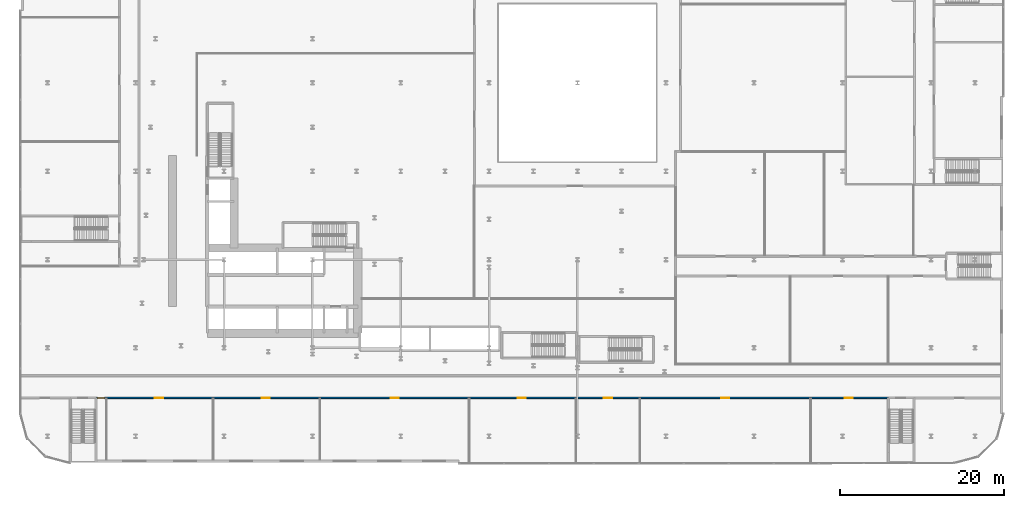
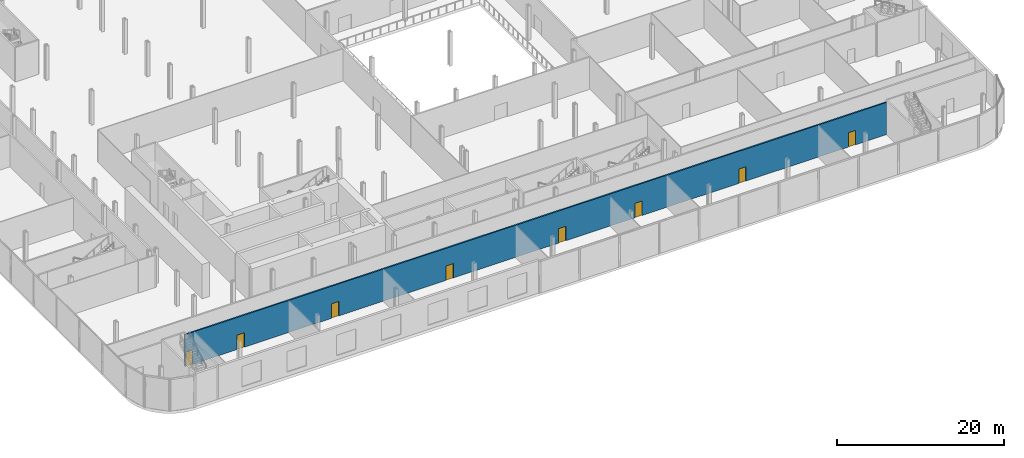
# One storey, part 26 of 47: 8 doors, 1 wall, 8 openings.
"""IFC4 building model written with IfcOpenShell, lengths in metres."""

from ifc_helpers import new_model, si_unit, direction, frame, frame_2d, origin, place, context, subcontext, project, spatial, rectangle, extrude, source, transform, mapped, material, layer, layer_set, type_object, element, fill, save


model = new_model("IFC4")

# Units and contexts
model_context = context("Model", 3, precision=1e-05, world=origin(), true_north=direction((0.0, 1.0)))
body_context = subcontext(model_context, "Body", "Model", "MODEL_VIEW")
ifc_project = project(units=[si_unit("LENGTHUNIT", "METRE"), si_unit("AREAUNIT", "SQUARE_METRE"), si_unit("VOLUMEUNIT", "CUBIC_METRE"), si_unit("PLANEANGLEUNIT", "RADIAN"), si_unit("MASSUNIT", "GRAM", prefix="KILO")], contexts=[model_context])

# Site, building, storey
site_placement = place(None, origin())
site = spatial("IfcSite", under=ifc_project, at=site_placement, CompositionType="ELEMENT")
building_placement = place(site_placement, origin())
building = spatial("IfcBuilding", under=site, at=building_placement, Name="Kheshtan School and Residences Tower", CompositionType="ELEMENT")
storey_placement = place(building_placement, frame((0.0, 0.0, 7.5)))
storey = spatial("IfcBuildingStorey", under=building, at=storey_placement, Name="L01", CompositionType="ELEMENT", Elevation=7.5)

# Wall, openings, doors
ifc_material_1 = material(Name="Gypsum board on steel studs with fire boards", Category="steel")
ifc_layer = layer(ifc_material_1, 0.199951171875)
ifc_layer_set = layer_set([ifc_layer], Name="Corridor wall 200")
wall_type = type_object("IfcWallType", Name="Corridor wall 200", PredefinedType="PARTITIONING", material=ifc_layer_set)
wall_placement = place(storey_placement, frame((21.14990234375, 17.89990234375, 0.0), z_axis=(0.0, 0.0, 1.0), x_axis=(1.0, 0.0, 0.0)))
wall = element("IfcWall", 1, at=wall_placement, inside=storey, type_object=wall_type, Name="Partition L01-008", PredefinedType="PARTITIONING", context=body_context, shape_type="SweptSolid", body=[
    extrude(rectangle(XDim=96.85009765625, YDim=0.199951171875, at=frame_2d((48.425048828125, 0.0))), origin(), (0.0, 0.0, 1.0), 4.679931640625),
])
opening_1_placement = place(wall_placement, frame((0.14990234375, 0.0, 0.0)))
opening_1 = element("IfcOpeningElement", 2, at=opening_1_placement, cuts=wall, Name="Opening D01-035", PredefinedType="OPENING", context=body_context, shape_type="SweptSolid", body=[
    extrude(rectangle(XDim=0.89990234375, YDim=2.10009765625, at=frame_2d((0.449951171875, 1.050048828125))), frame((0.0, 0.10986328125, 0.0), z_axis=(0.0, -1.0, 0.0), x_axis=(1.0, 0.0, 0.0)), (0.0, 0.0, 1.0), 0.219970703125),
])
opening_2_placement = place(wall_placement, frame((7.18505859375, 0.0, 0.0)))
opening_2 = element("IfcOpeningElement", 3, at=opening_2_placement, cuts=wall, Name="Opening D01-036", PredefinedType="OPENING", context=body_context, shape_type="SweptSolid", body=[
    extrude(rectangle(XDim=1.0, YDim=2.10009765625, at=frame_2d((0.5, 1.050048828125))), frame((0.0, 0.10986328125, 0.0), z_axis=(0.0, -1.0, 0.0), x_axis=(1.0, 0.0, 0.0)), (0.0, 0.0, 1.0), 0.219970703125),
])
opening_3_placement = place(wall_placement, frame((20.22802734375, 0.0, 0.0)))
opening_3 = element("IfcOpeningElement", 4, at=opening_3_placement, cuts=wall, Name="Opening D01-037", PredefinedType="OPENING", context=body_context, shape_type="SweptSolid", body=[
    extrude(rectangle(XDim=1.0, YDim=2.10009765625, at=frame_2d((0.5, 1.050048828125))), frame((0.0, 0.10986328125, 0.0), z_axis=(0.0, -1.0, 0.0), x_axis=(1.0, 0.0, 0.0)), (0.0, 0.0, 1.0), 0.219970703125),
])
opening_4_placement = place(wall_placement, frame((36.02197265625, 0.0, 0.0)))
opening_4 = element("IfcOpeningElement", 5, at=opening_4_placement, cuts=wall, Name="Opening D01-038", PredefinedType="OPENING", context=body_context, shape_type="SweptSolid", body=[
    extrude(rectangle(XDim=1.0, YDim=2.10009765625, at=frame_2d((0.5, 1.050048828125))), frame((0.0, 0.10986328125, 0.0), z_axis=(0.0, -1.0, 0.0), x_axis=(1.0, 0.0, 0.0)), (0.0, 0.0, 1.0), 0.219970703125),
])
opening_5_placement = place(wall_placement, frame((51.532958984375, 0.0, 0.0)))
opening_5 = element("IfcOpeningElement", 6, at=opening_5_placement, cuts=wall, Name="Opening D01-039", PredefinedType="OPENING", context=body_context, shape_type="SweptSolid", body=[
    extrude(rectangle(XDim=1.0, YDim=2.10009765625, at=frame_2d((0.5, 1.050048828125))), frame((0.0, 0.10986328125, 0.0), z_axis=(0.0, -1.0, 0.0), x_axis=(1.0, 0.0, 0.0)), (0.0, 0.0, 1.0), 0.219970703125),
])
opening_6_placement = place(wall_placement, frame((62.075927734375, 0.0, 0.0)))
opening_6 = element("IfcOpeningElement", 7, at=opening_6_placement, cuts=wall, Name="Opening D01-040", PredefinedType="OPENING", context=body_context, shape_type="SweptSolid", body=[
    extrude(rectangle(XDim=1.0, YDim=2.10009765625, at=frame_2d((0.5, 1.050048828125))), frame((0.0, 0.10986328125, 0.0), z_axis=(0.0, -1.0, 0.0), x_axis=(1.0, 0.0, 0.0)), (0.0, 0.0, 1.0), 0.219970703125),
])
opening_7_placement = place(wall_placement, frame((76.402099609375, 0.0, 0.0)))
opening_7 = element("IfcOpeningElement", 8, at=opening_7_placement, cuts=wall, Name="Opening D01-041", PredefinedType="OPENING", context=body_context, shape_type="SweptSolid", body=[
    extrude(rectangle(XDim=1.0, YDim=2.10009765625, at=frame_2d((0.5, 1.050048828125))), frame((0.0, 0.10986328125, 0.0), z_axis=(0.0, -1.0, 0.0), x_axis=(1.0, 0.0, 0.0)), (0.0, 0.0, 1.0), 0.219970703125),
])
opening_8_placement = place(wall_placement, frame((91.52197265625, 0.0, 0.0)))
opening_8 = element("IfcOpeningElement", 9, at=opening_8_placement, cuts=wall, Name="Opening D01-042", PredefinedType="OPENING", context=body_context, shape_type="SweptSolid", body=[
    extrude(rectangle(XDim=1.0, YDim=2.10009765625, at=frame_2d((0.5, 1.050048828125))), frame((0.0, 0.10986328125, 0.0), z_axis=(0.0, -1.0, 0.0), x_axis=(1.0, 0.0, 0.0)), (0.0, 0.0, 1.0), 0.219970703125),
])
ifc_material_2 = material(Name="Steel-framed fire-resisting door leaf", Category="steel")
door_type_1 = type_object("IfcDoorType", Name="Fire door FD60 1000 x 2100", OperationType="SINGLE_SWING_LEFT", PredefinedType="DOOR", material=ifc_material_2)
shared_shape_1 = source(origin(), body_context, "Body", "SweptSolid", [
    extrude(rectangle(XDim=1.0, YDim=2.10009765625, at=frame_2d((0.5, 1.050048828125))), frame((0.0, 0.02490234375, 0.0), z_axis=(0.0, -1.0, 0.0), x_axis=(1.0, 0.0, 0.0)), (0.0, 0.0, 1.0), 0.050048828125),
])
door_1_placement = place(opening_2_placement, origin())
door_1 = element("IfcDoor", 10, at=door_1_placement, inside=storey, type_object=door_type_1, Name="Door D01-036", OperationType="SINGLE_SWING_LEFT", OverallHeight=2.10009765625, OverallWidth=1.0, PredefinedType="DOOR", context=body_context, shape_type="MappedRepresentation", body=[
    mapped(shared_shape_1, transform((0.0, 0.0, 0.0), x_axis=(1.0, 0.0, 0.0), y_axis=(0.0, 1.0, 0.0), z_axis=(0.0, 0.0, 1.0), scale=1.0)),
])
fill(opening_2, door_1)
door_2_placement = place(opening_3_placement, origin())
door_2 = element("IfcDoor", 11, at=door_2_placement, inside=storey, type_object=door_type_1, Name="Door D01-037", OperationType="SINGLE_SWING_LEFT", OverallHeight=2.10009765625, OverallWidth=1.0, PredefinedType="DOOR", context=body_context, shape_type="MappedRepresentation", body=[
    mapped(shared_shape_1, transform((0.0, 0.0, 0.0), x_axis=(1.0, 0.0, 0.0), y_axis=(0.0, 1.0, 0.0), z_axis=(0.0, 0.0, 1.0), scale=1.0)),
])
fill(opening_3, door_2)
door_3_placement = place(opening_4_placement, origin())
door_3 = element("IfcDoor", 12, at=door_3_placement, inside=storey, type_object=door_type_1, Name="Door D01-038", OperationType="SINGLE_SWING_LEFT", OverallHeight=2.10009765625, OverallWidth=1.0, PredefinedType="DOOR", context=body_context, shape_type="MappedRepresentation", body=[
    mapped(shared_shape_1, transform((0.0, 0.0, 0.0), x_axis=(1.0, 0.0, 0.0), y_axis=(0.0, 1.0, 0.0), z_axis=(0.0, 0.0, 1.0), scale=1.0)),
])
fill(opening_4, door_3)
door_4_placement = place(opening_5_placement, origin())
door_4 = element("IfcDoor", 13, at=door_4_placement, inside=storey, type_object=door_type_1, Name="Door D01-039", OperationType="SINGLE_SWING_RIGHT", OverallHeight=2.10009765625, OverallWidth=1.0, PredefinedType="DOOR", context=body_context, shape_type="MappedRepresentation", body=[
    mapped(shared_shape_1, transform((0.0, 0.0, 0.0), x_axis=(1.0, 0.0, 0.0), y_axis=(0.0, 1.0, 0.0), z_axis=(0.0, 0.0, 1.0), scale=1.0)),
])
fill(opening_5, door_4)
door_5_placement = place(opening_6_placement, origin())
door_5 = element("IfcDoor", 14, at=door_5_placement, inside=storey, type_object=door_type_1, Name="Door D01-040", OperationType="SINGLE_SWING_RIGHT", OverallHeight=2.10009765625, OverallWidth=1.0, PredefinedType="DOOR", context=body_context, shape_type="MappedRepresentation", body=[
    mapped(shared_shape_1, transform((0.0, 0.0, 0.0), x_axis=(1.0, 0.0, 0.0), y_axis=(0.0, 1.0, 0.0), z_axis=(0.0, 0.0, 1.0), scale=1.0)),
])
fill(opening_6, door_5)
door_6_placement = place(opening_7_placement, origin())
door_6 = element("IfcDoor", 15, at=door_6_placement, inside=storey, type_object=door_type_1, Name="Door D01-041", OperationType="SINGLE_SWING_LEFT", OverallHeight=2.10009765625, OverallWidth=1.0, PredefinedType="DOOR", context=body_context, shape_type="MappedRepresentation", body=[
    mapped(shared_shape_1, transform((0.0, 0.0, 0.0), x_axis=(1.0, 0.0, 0.0), y_axis=(0.0, 1.0, 0.0), z_axis=(0.0, 0.0, 1.0), scale=1.0)),
])
fill(opening_7, door_6)
door_7_placement = place(opening_8_placement, origin())
door_7 = element("IfcDoor", 16, at=door_7_placement, inside=storey, type_object=door_type_1, Name="Door D01-042", OperationType="SINGLE_SWING_RIGHT", OverallHeight=2.10009765625, OverallWidth=1.0, PredefinedType="DOOR", context=body_context, shape_type="MappedRepresentation", body=[
    mapped(shared_shape_1, transform((0.0, 0.0, 0.0), x_axis=(1.0, 0.0, 0.0), y_axis=(0.0, 1.0, 0.0), z_axis=(0.0, 0.0, 1.0), scale=1.0)),
])
fill(opening_8, door_7)
door_type_2 = type_object("IfcDoorType", Name="Fire door FD60 900 x 2100", OperationType="SINGLE_SWING_LEFT", PredefinedType="DOOR", material=ifc_material_2)
shared_shape_2 = source(origin(), body_context, "Body", "SweptSolid", [
    extrude(rectangle(XDim=0.89990234375, YDim=2.10009765625, at=frame_2d((0.449951171875, 1.050048828125))), frame((0.0, 0.02490234375, 0.0), z_axis=(0.0, -1.0, 0.0), x_axis=(1.0, 0.0, 0.0)), (0.0, 0.0, 1.0), 0.050048828125),
])
door_8_placement = place(opening_1_placement, origin())
door_8 = element("IfcDoor", 17, at=door_8_placement, inside=storey, type_object=door_type_2, Name="Door D01-035", OperationType="SINGLE_SWING_RIGHT", OverallHeight=2.10009765625, OverallWidth=0.89990234375, PredefinedType="DOOR", context=body_context, shape_type="MappedRepresentation", body=[
    mapped(shared_shape_2, transform((0.0, 0.0, 0.0), x_axis=(1.0, 0.0, 0.0), y_axis=(0.0, 1.0, 0.0), z_axis=(0.0, 0.0, 1.0), scale=1.0)),
])
fill(opening_1, door_8)

save(model, "model.ifc")
